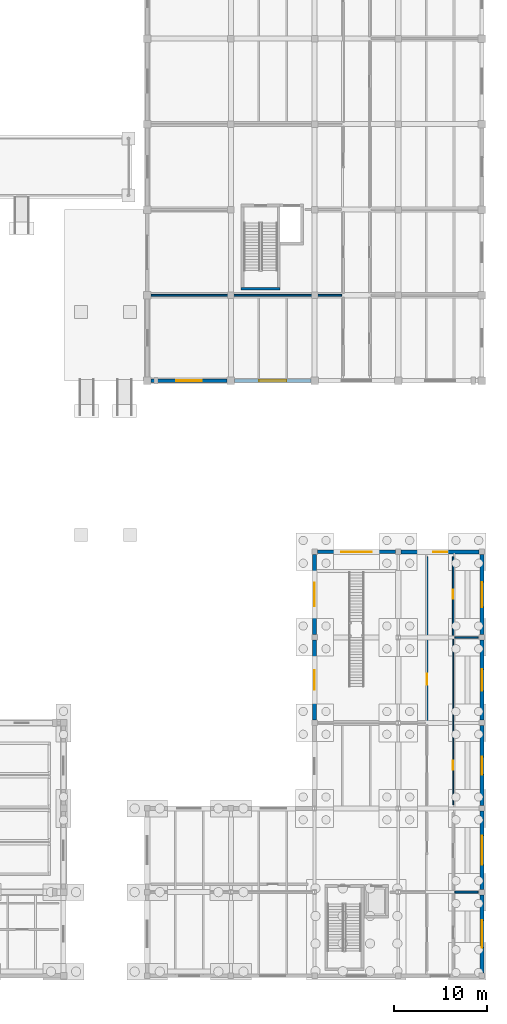
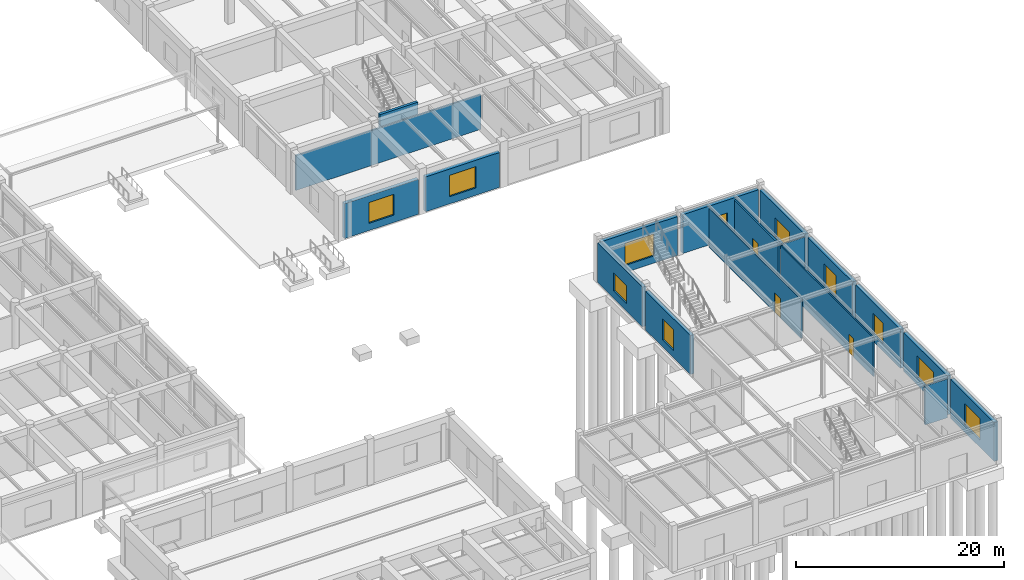
# One storey, part 62 of 76: 18 walls, 11 windows, 3 doors, 14 openings.
"""IFC4 building model written with IfcOpenShell, lengths in metres."""

from ifc_helpers import new_model, si_unit, direction, frame, frame_2d, origin, place, context, subcontext, project, spatial, rectangle, extrude, material, layer, layer_set, type_object, element, fill, save


model = new_model("IFC4")

# Units and contexts
model_context = context("Model", 3, precision=1e-05, world=origin(), true_north=direction((0.0, 1.0)))
body_context = subcontext(model_context, "Body", "Model", "MODEL_VIEW")
ifc_project = project(units=[si_unit("LENGTHUNIT", "METRE"), si_unit("AREAUNIT", "SQUARE_METRE"), si_unit("VOLUMEUNIT", "CUBIC_METRE"), si_unit("PLANEANGLEUNIT", "RADIAN"), si_unit("MASSUNIT", "GRAM", prefix="KILO")], contexts=[model_context])

# Site, building, storey
site_placement = place(None, origin())
site = spatial("IfcSite", under=ifc_project, at=site_placement, CompositionType="ELEMENT")
building_placement = place(site_placement, origin())
building = spatial("IfcBuilding", under=site, at=building_placement, Name="Bozkorgan Art Gallery", CompositionType="ELEMENT")
storey_placement = place(building_placement, origin())
storey = spatial("IfcBuildingStorey", under=building, at=storey_placement, Name="L00", CompositionType="ELEMENT", Elevation=0.0)

# Wall
ifc_material_1 = material(Name="Concrete C40/50", Category="concrete")
ifc_layer_1 = layer(ifc_material_1, 0.300048828125, Name="Concrete C40/50")
ifc_layer_set_1 = layer_set([ifc_layer_1], Name="Concrete C40/50")
wall_type_1 = type_object("IfcWallType", Name="IWALL-CW-44", PredefinedType="SHEAR", material=ifc_layer_set_1)
wall_1_placement = place(storey_placement, frame((138.10009765625, 75.89990234375, 0.0), z_axis=(0.0, 0.0, 1.0), x_axis=(1.0, 0.0, 0.0)))
element("IfcWall", 1, at=wall_1_placement, inside=storey, type_object=wall_type_1, Name="CORE3 L00 stair core S shear wall", PredefinedType="SHEAR", context=body_context, shape_type="SweptSolid", body=[
    extrude(rectangle(XDim=4.199951171875, YDim=0.300048828125, at=frame_2d((2.10009765625, 0.0))), origin(), (0.0, 0.0, 1.0), 5.1201171875),
])

# Wall, opening, door
ifc_material_2 = material(Name="Acoustic Gypsum & Mineral Wool Partition")
ifc_layer_2 = layer(ifc_material_2, 0.169921875, Name="Acoustic Gypsum & Mineral Wool Partition")
ifc_layer_set_2 = layer_set([ifc_layer_2], Name="Acoustic Gypsum & Mineral Wool Partition")
wall_type_2 = type_object("IfcWallType", Name="IWALL-PR-40", PredefinedType="PARTITIONING", material=ifc_layer_set_2)
wall_2_placement = place(storey_placement, frame((158.10009765625, 29.419921875, 0.0), z_axis=(0.0, 0.0, 1.0), x_axis=(0.0, 1.0, 0.0)))
wall_2 = element("IfcWall", 2, at=wall_2_placement, inside=storey, type_object=wall_type_2, Name="V6 L00 acoustic partition wall 356", PredefinedType="PARTITIONING", context=body_context, shape_type="SweptSolid", body=[
    extrude(rectangle(XDim=17.64013671875, YDim=0.169921875, at=frame_2d((8.820068359375, 0.0))), origin(), (0.0, 0.0, 1.0), 4.554931640625),
])
opening_1_placement = place(wall_2_placement, frame((5.06884765625, 0.0, 0.0), z_axis=(0.0, 0.0, 1.0), x_axis=(-1.0, 0.0, 0.0)))
opening_1 = element("IfcOpeningElement", 3, at=opening_1_placement, cuts=wall_2, Name="Opening FD-03", PredefinedType="OPENING", context=body_context, shape_type="SweptSolid", body=[
    extrude(rectangle(XDim=1.159912109375, YDim=2.280029296875, at=frame_2d((0.580078125, 1.14013671875))), frame((0.0, 0.094970703125, 0.0), z_axis=(0.0, -1.0, 0.0), x_axis=(1.0, 0.0, 0.0)), (0.0, 0.0, 1.0), 0.18994140625),
])
ifc_material_3 = material(Name="Oiled European Oak Joinery")
door_type_1 = type_object("IfcDoorType", Name="IDOOR-FD-03", OperationType="NOTDEFINED", PredefinedType="DOOR", material=ifc_material_3)
door_1_placement = place(opening_1_placement, origin())
door_1 = element("IfcDoor", 4, at=door_1_placement, inside=storey, type_object=door_type_1, Name="Bag Coat Store Door", OperationType="SINGLE_SWING_LEFT", OverallHeight=2.280029296875, OverallWidth=1.159912109375, PredefinedType="DOOR", context=body_context, shape_type="SweptSolid", body=[
    extrude(rectangle(XDim=1.159912109375, YDim=2.280029296875, at=frame_2d((0.580078125, 1.14013671875))), frame((0.0, 0.02490234375, 0.0), z_axis=(0.0, -1.0, 0.0), x_axis=(1.0, 0.0, 0.0)), (0.0, 0.0, 1.0), 0.050048828125),
])
fill(opening_1, door_1)

wall_3_placement = place(storey_placement, frame((160.89990234375, 38.6201171875, 0.0), z_axis=(0.0, 0.0, 1.0), x_axis=(0.0, 1.0, 0.0)))
wall_3 = element("IfcWall", 5, at=wall_3_placement, inside=storey, type_object=wall_type_2, Name="V6 L00 acoustic partition wall 362", PredefinedType="PARTITIONING", context=body_context, shape_type="SweptSolid", body=[
    extrude(rectangle(XDim=8.43994140625, YDim=0.169921875, at=frame_2d((4.219970703125, 0.0))), origin(), (0.0, 0.0, 1.0), 4.554931640625),
])
opening_2_placement = place(wall_3_placement, frame((3.921142578125, 0.0, 0.0)))
opening_2 = element("IfcOpeningElement", 6, at=opening_2_placement, cuts=wall_3, Name="Opening FD-60", PredefinedType="OPENING", context=body_context, shape_type="SweptSolid", body=[
    extrude(rectangle(XDim=1.0, YDim=2.199951171875, at=frame_2d((0.5, 1.10009765625))), frame((0.0, 0.094970703125, 0.0), z_axis=(0.0, -1.0, 0.0), x_axis=(1.0, 0.0, 0.0)), (0.0, 0.0, 1.0), 0.18994140625),
])
door_type_2 = type_object("IfcDoorType", Name="IDOOR-FD-60", OperationType="NOTDEFINED", PredefinedType="DOOR", material=ifc_material_3)
door_2_placement = place(opening_2_placement, origin())
door_2 = element("IfcDoor", 7, at=door_2_placement, inside=storey, type_object=door_type_2, Name="Family Studio Classroom Door", OperationType="SINGLE_SWING_LEFT", OverallHeight=2.199951171875, OverallWidth=1.0, PredefinedType="DOOR", context=body_context, shape_type="SweptSolid", body=[
    extrude(rectangle(XDim=1.0, YDim=2.199951171875, at=frame_2d((0.5, 1.10009765625))), frame((0.0, 0.02490234375, 0.0), z_axis=(0.0, -1.0, 0.0), x_axis=(1.0, 0.0, 0.0)), (0.0, 0.0, 1.0), 0.050048828125),
])
fill(opening_2, door_2)

ifc_layer_3 = layer(ifc_material_2, 0.1298828125, Name="Acoustic Gypsum & Mineral Wool Partition")
ifc_layer_set_3 = layer_set([ifc_layer_3], Name="Acoustic Gypsum & Mineral Wool Partition")
wall_type_3 = type_object("IfcWallType", Name="IWALL-PR-76", PredefinedType="PARTITIONING", material=ifc_layer_set_3)
wall_4_placement = place(storey_placement, frame((160.89990234375, 20.419921875, 0.0), z_axis=(0.0, 0.0, 1.0), x_axis=(0.0, 1.0, 0.0)))
wall_4 = element("IfcWall", 8, at=wall_4_placement, inside=storey, type_object=wall_type_3, Name="V6 L00 acoustic partition wall 360", PredefinedType="PARTITIONING", context=body_context, shape_type="SweptSolid", body=[
    extrude(rectangle(XDim=17.760009765625, YDim=0.1298828125, at=frame_2d((8.8798828125, 0.0))), origin(), (0.0, 0.0, 1.0), 4.554931640625),
])
opening_3_placement = place(wall_4_placement, frame((3.73388671875, 0.0, 0.0)))
opening_3 = element("IfcOpeningElement", 9, at=opening_3_placement, cuts=wall_4, Name="Opening FD-92", PredefinedType="OPENING", context=body_context, shape_type="SweptSolid", body=[
    extrude(rectangle(XDim=0.949951171875, YDim=2.14990234375, at=frame_2d((0.47509765625, 1.074951171875))), frame((0.0, 0.074951171875, 0.0), z_axis=(0.0, -1.0, 0.0), x_axis=(1.0, 0.0, 0.0)), (0.0, 0.0, 1.0), 0.14990234375),
])
door_type_3 = type_object("IfcDoorType", Name="IDOOR-FD-92", OperationType="NOTDEFINED", PredefinedType="DOOR", material=ifc_material_3)
door_3_placement = place(opening_3_placement, origin())
door_3 = element("IfcDoor", 10, at=door_3_placement, inside=storey, type_object=door_type_3, Name="Youth Clay Workshop Door", OperationType="SINGLE_SWING_RIGHT", OverallHeight=2.14990234375, OverallWidth=0.949951171875, PredefinedType="DOOR", context=body_context, shape_type="SweptSolid", body=[
    extrude(rectangle(XDim=0.949951171875, YDim=2.14990234375, at=frame_2d((0.47509765625, 1.074951171875))), frame((0.0, 0.02490234375, 0.0), z_axis=(0.0, -1.0, 0.0), x_axis=(1.0, 0.0, 0.0)), (0.0, 0.0, 1.0), 0.050048828125),
])
fill(opening_3, door_3)

# Walls
ifc_layer_4 = layer(ifc_material_2, 0.169921875, Name="Acoustic Gypsum & Mineral Wool Partition")
ifc_layer_set_4 = layer_set([ifc_layer_4], Name="Acoustic Gypsum & Mineral Wool Partition")
wall_type_4 = type_object("IfcWallType", Name="IWALL-PW-02", PredefinedType="PARTITIONING", material=ifc_layer_set_4)
wall_5_placement = place(storey_placement, frame((128.39990234375, 75.199951171875, 0.0), z_axis=(0.0, 0.0, 1.0), x_axis=(1.0, 0.0, 0.0)))
element("IfcWall", 11, at=wall_5_placement, inside=storey, type_object=wall_type_4, Name="V5 L00 acoustic partition wall 284", PredefinedType="PARTITIONING", context=body_context, shape_type="SweptSolid", body=[
    extrude(rectangle(XDim=20.5, YDim=0.169921875, at=frame_2d((10.25, 0.0))), origin(), (0.0, 0.0, 1.0), 4.094970703125),
])
ifc_layer_5 = layer(ifc_material_2, 0.14990234375, Name="Acoustic Gypsum & Mineral Wool Partition")
ifc_layer_set_5 = layer_set([ifc_layer_5], Name="Acoustic Gypsum & Mineral Wool Partition")
wall_type_5 = type_object("IfcWallType", Name="IWALL-PW-17", PredefinedType="PARTITIONING", material=ifc_layer_set_5)
wall_6_placement = place(storey_placement, frame((161.10009765625, 38.39990234375, 0.0), z_axis=(0.0, 0.0, 1.0), x_axis=(1.0, 0.0, 0.0)))
element("IfcWall", 12, at=wall_6_placement, inside=storey, type_object=wall_type_5, Name="V6 L00 acoustic partition wall 361", PredefinedType="PARTITIONING", context=body_context, shape_type="SweptSolid", body=[
    extrude(rectangle(XDim=2.5, YDim=0.14990234375, at=frame_2d((1.25, 0.0))), origin(), (0.0, 0.0, 1.0), 4.554931640625),
])
ifc_layer_6 = layer(ifc_material_2, 0.2099609375, Name="Acoustic Gypsum & Mineral Wool Partition")
ifc_layer_set_6 = layer_set([ifc_layer_6], Name="Acoustic Gypsum & Mineral Wool Partition")
wall_type_6 = type_object("IfcWallType", Name="IWALL-PW-72", PredefinedType="PARTITIONING", material=ifc_layer_set_6)
wall_7_placement = place(storey_placement, frame((161.10009765625, 11.0, 0.0), z_axis=(0.0, 0.0, 1.0), x_axis=(1.0, 0.0, 0.0)))
element("IfcWall", 13, at=wall_7_placement, inside=storey, type_object=wall_type_6, Name="V6 L00 acoustic partition wall 358", PredefinedType="PARTITIONING", context=body_context, shape_type="SweptSolid", body=[
    extrude(rectangle(XDim=2.5, YDim=0.2099609375, at=frame_2d((1.25, 0.0))), origin(), (0.0, 0.0, 1.0), 4.554931640625),
])

# Wall, opening, window
ifc_material_4 = material(Name="Kordai Rose Granite Ashlar", Category="masonry")
ifc_layer_7 = layer(ifc_material_4, 0.419921875, Name="Kordai Rose Granite Ashlar")
ifc_layer_set_7 = layer_set([ifc_layer_7], Name="Kordai Rose Granite Ashlar")
wall_type_7 = type_object("IfcWallType", Name="WALL-WG-54", PredefinedType="STANDARD", material=ifc_layer_set_7)
wall_8_placement = place(storey_placement, frame((164.0, 2.300048828125, 0.0), z_axis=(0.0, 0.0, 1.0), x_axis=(0.0, 1.0, 0.0)))
wall_8 = element("IfcWall", 14, at=wall_8_placement, inside=storey, type_object=wall_type_7, Name="V6 L00 exterior facade wall 1E-8", PredefinedType="STANDARD", context=body_context, shape_type="SweptSolid", body=[
    extrude(rectangle(XDim=8.39990234375, YDim=0.419921875, at=frame_2d((4.199951171875, 0.0))), origin(), (0.0, 0.0, 1.0), 4.554931640625),
])
opening_4_placement = place(wall_8_placement, frame((5.675048828125, 0.0, 0.85009765625), z_axis=(0.0, 0.0, 1.0), x_axis=(-1.0, 0.0, 0.0)))
opening_4 = element("IfcOpeningElement", 15, at=opening_4_placement, cuts=wall_8, Name="Opening WN-40", PredefinedType="OPENING", context=body_context, shape_type="SweptSolid", body=[
    extrude(rectangle(XDim=2.949951171875, YDim=2.5, at=frame_2d((1.47509765625, 1.25))), frame((0.0, 0.219970703125, 0.0), z_axis=(0.0, -1.0, 0.0), x_axis=(1.0, 0.0, 0.0)), (0.0, 0.0, 1.0), 0.43994140625),
])
ifc_material_5 = material(Name="Triple Low-E Laminated Glass", Category="glass")
window_type_1 = type_object("IfcWindowType", Name="WIN-WN-40", PartitioningType="SINGLE_PANEL", PredefinedType="WINDOW", material=ifc_material_5)
window_1_placement = place(opening_4_placement, origin())
window_1 = element("IfcWindow", 16, at=window_1_placement, inside=storey, type_object=window_type_1, Name="V6 L00 gallery window 1E-8", OverallHeight=2.5, OverallWidth=2.949951171875, PartitioningType="SINGLE_PANEL", PredefinedType="WINDOW", context=body_context, shape_type="SweptSolid", body=[
    extrude(rectangle(XDim=2.949951171875, YDim=2.5, at=frame_2d((1.47509765625, 1.25))), frame((0.0, 0.030029296875, 0.0), z_axis=(0.0, -1.0, 0.0), x_axis=(1.0, 0.0, 0.0)), (0.0, 0.0, 1.0), 0.06005859375),
])
fill(opening_4, window_1)

wall_9_placement = place(storey_placement, frame((164.0, 11.300048828125, 0.0), z_axis=(0.0, 0.0, 1.0), x_axis=(0.0, 1.0, 0.0)))
wall_9 = element("IfcWall", 17, at=wall_9_placement, inside=storey, type_object=wall_type_7, Name="V6 L00 exterior facade wall 1E-10", PredefinedType="STANDARD", context=body_context, shape_type="SweptSolid", body=[
    extrude(rectangle(XDim=8.39990234375, YDim=0.419921875, at=frame_2d((4.199951171875, 0.0))), origin(), (0.0, 0.0, 1.0), 4.554931640625),
])
opening_5_placement = place(wall_9_placement, frame((5.77490234375, 0.0, 0.85009765625), z_axis=(0.0, 0.0, 1.0), x_axis=(-1.0, 0.0, 0.0)))
opening_5 = element("IfcOpeningElement", 18, at=opening_5_placement, cuts=wall_9, Name="Opening WN-84", PredefinedType="OPENING", context=body_context, shape_type="SweptSolid", body=[
    extrude(rectangle(XDim=3.14990234375, YDim=2.550048828125, at=frame_2d((1.574951171875, 1.27490234375))), frame((0.0, 0.219970703125, 0.0), z_axis=(0.0, -1.0, 0.0), x_axis=(1.0, 0.0, 0.0)), (0.0, 0.0, 1.0), 0.43994140625),
])
window_type_2 = type_object("IfcWindowType", Name="WIN-WN-84", PartitioningType="SINGLE_PANEL", PredefinedType="WINDOW", material=ifc_material_5)
window_2_placement = place(opening_5_placement, origin())
window_2 = element("IfcWindow", 19, at=window_2_placement, inside=storey, type_object=window_type_2, Name="V6 L00 gallery window 1E-10", OverallHeight=2.550048828125, OverallWidth=3.14990234375, PartitioningType="SINGLE_PANEL", PredefinedType="WINDOW", context=body_context, shape_type="SweptSolid", body=[
    extrude(rectangle(XDim=3.14990234375, YDim=2.550048828125, at=frame_2d((1.574951171875, 1.27490234375))), frame((0.0, 0.030029296875, 0.0), z_axis=(0.0, -1.0, 0.0), x_axis=(1.0, 0.0, 0.0)), (0.0, 0.0, 1.0), 0.06005859375),
])
fill(opening_5, window_2)

wall_10_placement = place(storey_placement, frame((155.300048828125, 47.60009765625, 0.0), z_axis=(0.0, 0.0, 1.0), x_axis=(1.0, 0.0, 0.0)))
wall_10 = element("IfcWall", 20, at=wall_10_placement, inside=storey, type_object=wall_type_7, Name="V6 L00 exterior facade wall 2N-2", PredefinedType="STANDARD", context=body_context, shape_type="SweptSolid", body=[
    extrude(rectangle(XDim=8.39990234375, YDim=0.419921875, at=frame_2d((4.199951171875, 0.0))), origin(), (0.0, 0.0, 1.0), 4.554931640625),
])
opening_6_placement = place(wall_10_placement, frame((3.449951171875, 0.0, 0.85009765625)))
opening_6 = element("IfcOpeningElement", 21, at=opening_6_placement, cuts=wall_10, Name="Opening WN-07", PredefinedType="OPENING", context=body_context, shape_type="SweptSolid", body=[
    extrude(rectangle(XDim=1.5, YDim=2.199951171875, at=frame_2d((0.75, 1.10009765625))), frame((0.0, 0.219970703125, 0.0), z_axis=(0.0, -1.0, 0.0), x_axis=(1.0, 0.0, 0.0)), (0.0, 0.0, 1.0), 0.43994140625),
])
window_type_3 = type_object("IfcWindowType", Name="WIN-WN-07", PartitioningType="SINGLE_PANEL", PredefinedType="WINDOW", material=ifc_material_5)
window_3_placement = place(opening_6_placement, origin())
window_3 = element("IfcWindow", 22, at=window_3_placement, inside=storey, type_object=window_type_3, Name="V6 L00 gallery window 2N-2", OverallHeight=2.199951171875, OverallWidth=1.5, PartitioningType="SINGLE_PANEL", PredefinedType="WINDOW", context=body_context, shape_type="SweptSolid", body=[
    extrude(rectangle(XDim=1.5, YDim=2.199951171875, at=frame_2d((0.75, 1.10009765625))), frame((0.0, 0.030029296875, 0.0), z_axis=(0.0, -1.0, 0.0), x_axis=(1.0, 0.0, 0.0)), (0.0, 0.0, 1.0), 0.06005859375),
])
fill(opening_6, window_3)

wall_11_placement = place(storey_placement, frame((164.0, 20.300048828125, 0.0), z_axis=(0.0, 0.0, 1.0), x_axis=(0.0, 1.0, 0.0)))
wall_11 = element("IfcWall", 23, at=wall_11_placement, inside=storey, type_object=wall_type_7, Name="V6 L00 exterior facade wall 2E-4", PredefinedType="STANDARD", context=body_context, shape_type="SweptSolid", body=[
    extrude(rectangle(XDim=8.599853515625, YDim=0.419921875, at=frame_2d((4.2998046875, 0.0))), origin(), (0.0, 0.0, 1.0), 4.554931640625),
])
opening_7_placement = place(wall_11_placement, frame((5.25, 0.0, 0.85009765625), z_axis=(0.0, 0.0, 1.0), x_axis=(-1.0, 0.0, 0.0)))
opening_7 = element("IfcOpeningElement", 24, at=opening_7_placement, cuts=wall_11, Name="Opening WN-52", PredefinedType="OPENING", context=body_context, shape_type="SweptSolid", body=[
    extrude(rectangle(XDim=1.89990234375, YDim=2.39990234375, at=frame_2d((0.949951171875, 1.199951171875))), frame((0.0, 0.219970703125, 0.0), z_axis=(0.0, -1.0, 0.0), x_axis=(1.0, 0.0, 0.0)), (0.0, 0.0, 1.0), 0.43994140625),
])
window_type_4 = type_object("IfcWindowType", Name="WIN-WN-52", PartitioningType="SINGLE_PANEL", PredefinedType="WINDOW", material=ifc_material_5)
window_4_placement = place(opening_7_placement, origin())
window_4 = element("IfcWindow", 25, at=window_4_placement, inside=storey, type_object=window_type_4, Name="V6 L00 gallery window 2E-4", OverallHeight=2.39990234375, OverallWidth=1.89990234375, PartitioningType="SINGLE_PANEL", PredefinedType="WINDOW", context=body_context, shape_type="SweptSolid", body=[
    extrude(rectangle(XDim=1.89990234375, YDim=2.39990234375, at=frame_2d((0.949951171875, 1.199951171875))), frame((0.0, 0.030029296875, 0.0), z_axis=(0.0, -1.0, 0.0), x_axis=(1.0, 0.0, 0.0)), (0.0, 0.0, 1.0), 0.06005859375),
])
fill(opening_7, window_4)

wall_12_placement = place(storey_placement, frame((164.0, 29.5, 0.0), z_axis=(0.0, 0.0, 1.0), x_axis=(0.0, 1.0, 0.0)))
wall_12 = element("IfcWall", 26, at=wall_12_placement, inside=storey, type_object=wall_type_7, Name="V6 L00 exterior facade wall 2E-6", PredefinedType="STANDARD", context=body_context, shape_type="SweptSolid", body=[
    extrude(rectangle(XDim=8.60009765625, YDim=0.419921875, at=frame_2d((4.300048828125, 0.0))), origin(), (0.0, 0.0, 1.0), 4.554931640625),
])
opening_8_placement = place(wall_12_placement, frame((5.449951171875, 0.0, 0.85009765625), z_axis=(0.0, 0.0, 1.0), x_axis=(-1.0, 0.0, 0.0)))
opening_8 = element("IfcOpeningElement", 27, at=opening_8_placement, cuts=wall_12, Name="Opening WN-48", PredefinedType="OPENING", context=body_context, shape_type="SweptSolid", body=[
    extrude(rectangle(XDim=2.300048828125, YDim=2.5, at=frame_2d((1.14990234375, 1.25))), frame((0.0, 0.219970703125, 0.0), z_axis=(0.0, -1.0, 0.0), x_axis=(1.0, 0.0, 0.0)), (0.0, 0.0, 1.0), 0.43994140625),
])
window_type_5 = type_object("IfcWindowType", Name="WIN-WN-48", PartitioningType="SINGLE_PANEL", PredefinedType="WINDOW", material=ifc_material_5)
window_5_placement = place(opening_8_placement, origin())
window_5 = element("IfcWindow", 28, at=window_5_placement, inside=storey, type_object=window_type_5, Name="V6 L00 gallery window 2E-6", OverallHeight=2.5, OverallWidth=2.300048828125, PartitioningType="SINGLE_PANEL", PredefinedType="WINDOW", context=body_context, shape_type="SweptSolid", body=[
    extrude(rectangle(XDim=2.300048828125, YDim=2.5, at=frame_2d((1.14990234375, 1.25))), frame((0.0, 0.030029296875, 0.0), z_axis=(0.0, -1.0, 0.0), x_axis=(1.0, 0.0, 0.0)), (0.0, 0.0, 1.0), 0.06005859375),
])
fill(opening_8, window_5)

wall_13_placement = place(storey_placement, frame((164.0, 38.699951171875, 0.0), z_axis=(0.0, 0.0, 1.0), x_axis=(0.0, 1.0, 0.0)))
wall_13 = element("IfcWall", 29, at=wall_13_placement, inside=storey, type_object=wall_type_7, Name="V6 L00 exterior facade wall 2E-8", PredefinedType="STANDARD", context=body_context, shape_type="SweptSolid", body=[
    extrude(rectangle(XDim=8.60009765625, YDim=0.419921875, at=frame_2d((4.300048828125, 0.0))), origin(), (0.0, 0.0, 1.0), 4.554931640625),
])
opening_9_placement = place(wall_13_placement, frame((5.64990234375, 0.0, 0.85009765625), z_axis=(0.0, 0.0, 1.0), x_axis=(-1.0, 0.0, 0.0)))
opening_9 = element("IfcOpeningElement", 30, at=opening_9_placement, cuts=wall_13, Name="Opening WN-57", PredefinedType="OPENING", context=body_context, shape_type="SweptSolid", body=[
    extrude(rectangle(XDim=2.699951171875, YDim=2.199951171875, at=frame_2d((1.35009765625, 1.10009765625))), frame((0.0, 0.219970703125, 0.0), z_axis=(0.0, -1.0, 0.0), x_axis=(1.0, 0.0, 0.0)), (0.0, 0.0, 1.0), 0.43994140625),
])
window_type_6 = type_object("IfcWindowType", Name="WIN-WN-57", PartitioningType="SINGLE_PANEL", PredefinedType="WINDOW", material=ifc_material_5)
window_6_placement = place(opening_9_placement, origin())
window_6 = element("IfcWindow", 31, at=window_6_placement, inside=storey, type_object=window_type_6, Name="V6 L00 gallery window 2E-8", OverallHeight=2.199951171875, OverallWidth=2.699951171875, PartitioningType="SINGLE_PANEL", PredefinedType="WINDOW", context=body_context, shape_type="SweptSolid", body=[
    extrude(rectangle(XDim=2.699951171875, YDim=2.199951171875, at=frame_2d((1.35009765625, 1.10009765625))), frame((0.0, 0.030029296875, 0.0), z_axis=(0.0, -1.0, 0.0), x_axis=(1.0, 0.0, 0.0)), (0.0, 0.0, 1.0), 0.06005859375),
])
fill(opening_9, window_6)

ifc_layer_8 = layer(ifc_material_4, 0.39990234375, Name="Kordai Rose Granite Ashlar")
ifc_layer_set_8 = layer_set([ifc_layer_8], Name="Kordai Rose Granite Ashlar")
wall_type_8 = type_object("IfcWallType", Name="WALL-WG-66", PredefinedType="STANDARD", material=ifc_layer_set_8)
wall_14_placement = place(storey_placement, frame((128.39990234375, 66.0, 0.0), z_axis=(0.0, 0.0, 1.0), x_axis=(1.0, 0.0, 0.0)))
wall_14 = element("IfcWall", 32, at=wall_14_placement, inside=storey, type_object=wall_type_8, Name="V5 L00 exterior facade wall 1S-1", PredefinedType="STANDARD", context=body_context, shape_type="SweptSolid", body=[
    extrude(rectangle(XDim=8.2001953125, YDim=0.39990234375, at=frame_2d((4.10009765625, 0.0))), origin(), (0.0, 0.0, 1.0), 4.094970703125),
])
opening_10_placement = place(wall_14_placement, frame((5.47509765625, 0.0, 0.85009765625), z_axis=(0.0, 0.0, 1.0), x_axis=(-1.0, 0.0, 0.0)))
opening_10 = element("IfcOpeningElement", 33, at=opening_10_placement, cuts=wall_14, Name="Opening WN-02", PredefinedType="OPENING", context=body_context, shape_type="SweptSolid", body=[
    extrude(rectangle(XDim=2.75, YDim=2.449951171875, at=frame_2d((1.375, 1.22509765625))), frame((0.0, 0.2099609375, 0.0), z_axis=(0.0, -1.0, 0.0), x_axis=(1.0, 0.0, 0.0)), (0.0, 0.0, 1.0), 0.419921875),
])
window_type_7 = type_object("IfcWindowType", Name="WIN-WN-02", PartitioningType="SINGLE_PANEL", PredefinedType="WINDOW", material=ifc_material_5)
window_7_placement = place(opening_10_placement, origin())
window_7 = element("IfcWindow", 34, at=window_7_placement, inside=storey, type_object=window_type_7, Name="V5 L00 gallery window 1S-1", OverallHeight=2.449951171875, OverallWidth=2.75, PartitioningType="SINGLE_PANEL", PredefinedType="WINDOW", context=body_context, shape_type="SweptSolid", body=[
    extrude(rectangle(XDim=2.75, YDim=2.449951171875, at=frame_2d((1.375, 1.22509765625))), frame((0.0, 0.030029296875, 0.0), z_axis=(0.0, -1.0, 0.0), x_axis=(1.0, 0.0, 0.0)), (0.0, 0.0, 1.0), 0.06005859375),
])
fill(opening_10, window_7)

wall_15_placement = place(storey_placement, frame((137.39990234375, 66.0, 0.0), z_axis=(0.0, 0.0, 1.0), x_axis=(1.0, 0.0, 0.0)))
wall_15 = element("IfcWall", 35, at=wall_15_placement, inside=storey, type_object=wall_type_8, Name="V5 L00 exterior facade wall 1S-3", PredefinedType="STANDARD", context=body_context, shape_type="SweptSolid", body=[
    extrude(rectangle(XDim=8.2001953125, YDim=0.39990234375, at=frame_2d((4.10009765625, 0.0))), origin(), (0.0, 0.0, 1.0), 4.094970703125),
])
opening_11_placement = place(wall_15_placement, frame((5.574951171875, 0.0, 0.85009765625), z_axis=(0.0, 0.0, 1.0), x_axis=(-1.0, 0.0, 0.0)))
opening_11 = element("IfcOpeningElement", 36, at=opening_11_placement, cuts=wall_15, Name="Opening WN-40", PredefinedType="OPENING", context=body_context, shape_type="SweptSolid", body=[
    extrude(rectangle(XDim=2.949951171875, YDim=2.5, at=frame_2d((1.47509765625, 1.25))), frame((0.0, 0.2099609375, 0.0), z_axis=(0.0, -1.0, 0.0), x_axis=(1.0, 0.0, 0.0)), (0.0, 0.0, 1.0), 0.419921875),
])
window_8_placement = place(opening_11_placement, origin())
window_8 = element("IfcWindow", 37, at=window_8_placement, inside=storey, type_object=window_type_1, Name="V5 L00 gallery window 1S-3", OverallHeight=2.5, OverallWidth=2.949951171875, PartitioningType="SINGLE_PANEL", PredefinedType="WINDOW", context=body_context, shape_type="SweptSolid", body=[
    extrude(rectangle(XDim=2.949951171875, YDim=2.5, at=frame_2d((1.47509765625, 1.25))), frame((0.0, 0.030029296875, 0.0), z_axis=(0.0, -1.0, 0.0), x_axis=(1.0, 0.0, 0.0)), (0.0, 0.0, 1.0), 0.06005859375),
])
fill(opening_11, window_8)

wall_16_placement = place(storey_placement, frame((146.300048828125, 47.60009765625, 0.0), z_axis=(0.0, 0.0, 1.0), x_axis=(1.0, 0.0, 0.0)))
wall_16 = element("IfcWall", 38, at=wall_16_placement, inside=storey, type_object=wall_type_8, Name="V6 L00 exterior facade wall 2N-1", PredefinedType="STANDARD", context=body_context, shape_type="SweptSolid", body=[
    extrude(rectangle(XDim=8.39990234375, YDim=0.39990234375, at=frame_2d((4.199951171875, 0.0))), origin(), (0.0, 0.0, 1.0), 4.554931640625),
])
opening_12_placement = place(wall_16_placement, frame((2.574951171875, 0.0, 0.85009765625)))
opening_12 = element("IfcOpeningElement", 39, at=opening_12_placement, cuts=wall_16, Name="Opening WN-38", PredefinedType="OPENING", context=body_context, shape_type="SweptSolid", body=[
    extrude(rectangle(XDim=3.25, YDim=2.60009765625, at=frame_2d((1.625, 1.300048828125))), frame((0.0, 0.2099609375, 0.0), z_axis=(0.0, -1.0, 0.0), x_axis=(1.0, 0.0, 0.0)), (0.0, 0.0, 1.0), 0.419921875),
])
window_type_8 = type_object("IfcWindowType", Name="WIN-WN-38", PartitioningType="SINGLE_PANEL", PredefinedType="WINDOW", material=ifc_material_5)
window_9_placement = place(opening_12_placement, origin())
window_9 = element("IfcWindow", 40, at=window_9_placement, inside=storey, type_object=window_type_8, Name="V6 L00 gallery window 2N-1", OverallHeight=2.60009765625, OverallWidth=3.25, PartitioningType="SINGLE_PANEL", PredefinedType="WINDOW", context=body_context, shape_type="SweptSolid", body=[
    extrude(rectangle(XDim=3.25, YDim=2.60009765625, at=frame_2d((1.625, 1.300048828125))), frame((0.0, 0.030029296875, 0.0), z_axis=(0.0, -1.0, 0.0), x_axis=(1.0, 0.0, 0.0)), (0.0, 0.0, 1.0), 0.06005859375),
])
fill(opening_12, window_9)

wall_17_placement = place(storey_placement, frame((146.0, 29.5, 0.0), z_axis=(0.0, 0.0, 1.0), x_axis=(0.0, 1.0, 0.0)))
wall_17 = element("IfcWall", 41, at=wall_17_placement, inside=storey, type_object=wall_type_8, Name="V6 L00 exterior facade wall 2W-5", PredefinedType="STANDARD", context=body_context, shape_type="SweptSolid", body=[
    extrude(rectangle(XDim=8.60009765625, YDim=0.39990234375, at=frame_2d((4.300048828125, 0.0))), origin(), (0.0, 0.0, 1.0), 4.554931640625),
])
opening_13_placement = place(wall_17_placement, frame((3.25, 0.0, 0.85009765625)))
opening_13 = element("IfcOpeningElement", 42, at=opening_13_placement, cuts=wall_17, Name="Opening WN-22", PredefinedType="OPENING", context=body_context, shape_type="SweptSolid", body=[
    extrude(rectangle(XDim=2.10009765625, YDim=2.449951171875, at=frame_2d((1.050048828125, 1.22509765625))), frame((0.0, 0.2099609375, 0.0), z_axis=(0.0, -1.0, 0.0), x_axis=(1.0, 0.0, 0.0)), (0.0, 0.0, 1.0), 0.419921875),
])
window_type_9 = type_object("IfcWindowType", Name="WIN-WN-22", PartitioningType="SINGLE_PANEL", PredefinedType="WINDOW", material=ifc_material_5)
window_10_placement = place(opening_13_placement, origin())
window_10 = element("IfcWindow", 43, at=window_10_placement, inside=storey, type_object=window_type_9, Name="V6 L00 gallery window 2W-5", OverallHeight=2.449951171875, OverallWidth=2.10009765625, PartitioningType="SINGLE_PANEL", PredefinedType="WINDOW", context=body_context, shape_type="SweptSolid", body=[
    extrude(rectangle(XDim=2.10009765625, YDim=2.449951171875, at=frame_2d((1.050048828125, 1.22509765625))), frame((0.0, 0.030029296875, 0.0), z_axis=(0.0, -1.0, 0.0), x_axis=(1.0, 0.0, 0.0)), (0.0, 0.0, 1.0), 0.06005859375),
])
fill(opening_13, window_10)

wall_18_placement = place(storey_placement, frame((146.0, 38.699951171875, 0.0), z_axis=(0.0, 0.0, 1.0), x_axis=(0.0, 1.0, 0.0)))
wall_18 = element("IfcWall", 44, at=wall_18_placement, inside=storey, type_object=wall_type_8, Name="V6 L00 exterior facade wall 2W-7", PredefinedType="STANDARD", context=body_context, shape_type="SweptSolid", body=[
    extrude(rectangle(XDim=8.60009765625, YDim=0.39990234375, at=frame_2d((4.300048828125, 0.0))), origin(), (0.0, 0.0, 1.0), 4.655029296875),
])
opening_14_placement = place(wall_18_placement, frame((3.050048828125, 0.0, 0.85009765625)))
opening_14 = element("IfcOpeningElement", 45, at=opening_14_placement, cuts=wall_18, Name="Opening WN-55", PredefinedType="OPENING", context=body_context, shape_type="SweptSolid", body=[
    extrude(rectangle(XDim=2.5, YDim=2.14990234375, at=frame_2d((1.25, 1.074951171875))), frame((0.0, 0.2099609375, 0.0), z_axis=(0.0, -1.0, 0.0), x_axis=(1.0, 0.0, 0.0)), (0.0, 0.0, 1.0), 0.419921875),
])
window_type_10 = type_object("IfcWindowType", Name="WIN-WN-55", PartitioningType="SINGLE_PANEL", PredefinedType="WINDOW", material=ifc_material_5)
window_11_placement = place(opening_14_placement, origin())
window_11 = element("IfcWindow", 46, at=window_11_placement, inside=storey, type_object=window_type_10, Name="V6 L00 gallery window 2W-7", OverallHeight=2.14990234375, OverallWidth=2.5, PartitioningType="SINGLE_PANEL", PredefinedType="WINDOW", context=body_context, shape_type="SweptSolid", body=[
    extrude(rectangle(XDim=2.5, YDim=2.14990234375, at=frame_2d((1.25, 1.074951171875))), frame((0.0, 0.030029296875, 0.0), z_axis=(0.0, -1.0, 0.0), x_axis=(1.0, 0.0, 0.0)), (0.0, 0.0, 1.0), 0.06005859375),
])
fill(opening_14, window_11)

save(model, "model.ifc")
